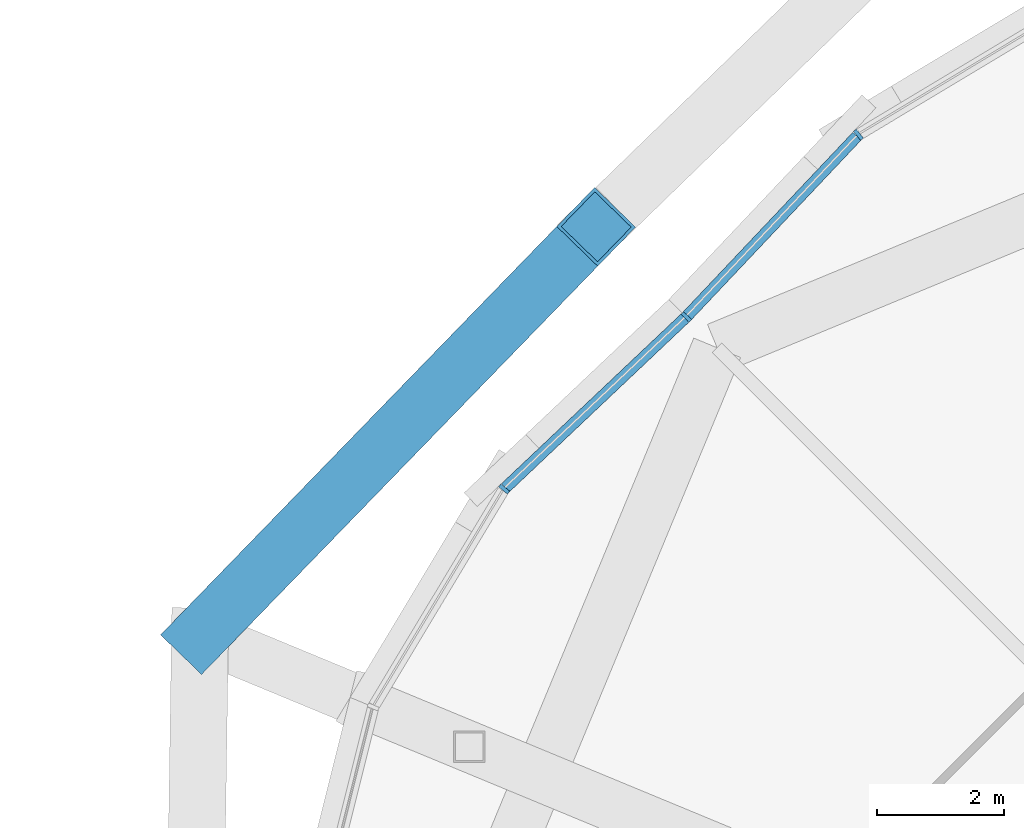
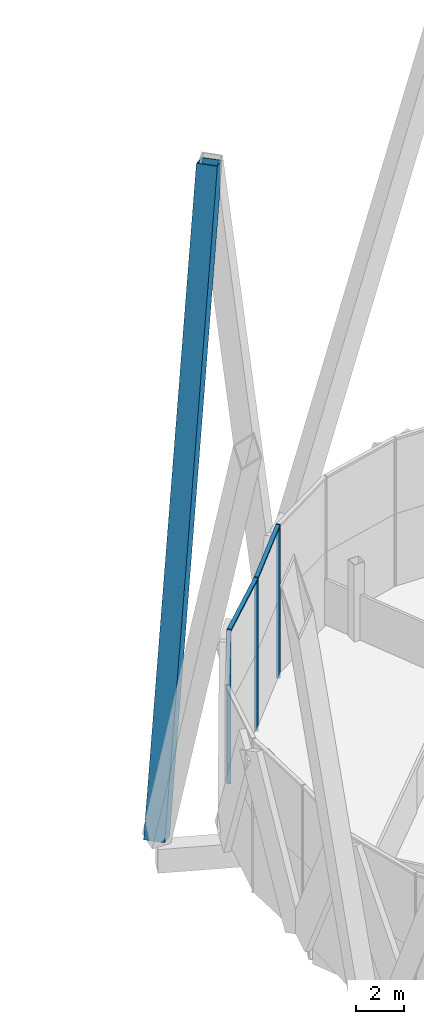
# One storey, part 33 of 53: 6 members, 2 elements without a shape of their own.
"""IFC4 building model written with IfcOpenShell, lengths in metres."""

from ifc_helpers import new_model, si_unit, direction, frame, origin, origin_2d, place, context, subcontext, project, spatial, rectangle, hollow_rectangle, extrude, material, material_profile, profile_set, type_object, element, aggregate, save


model = new_model("IFC4")

# Units and contexts
model_context = context("Model", 3, precision=1e-05, world=origin(), true_north=direction((0.0, 1.0)))
body_context = subcontext(model_context, "Body", "Model", "MODEL_VIEW")
ifc_project = project(units=[si_unit("LENGTHUNIT", "METRE"), si_unit("AREAUNIT", "SQUARE_METRE"), si_unit("VOLUMEUNIT", "CUBIC_METRE"), si_unit("PLANEANGLEUNIT", "RADIAN"), si_unit("MASSUNIT", "GRAM", prefix="KILO")], contexts=[model_context])

# Site, building, storey
site_placement = place(None, origin())
site = spatial("IfcSite", under=ifc_project, at=site_placement, CompositionType="ELEMENT")
building_placement = place(site_placement, origin())
building = spatial("IfcBuilding", under=site, at=building_placement, Name="Ogive Gate Towers", CompositionType="ELEMENT")
storey_placement = place(building_placement, frame((0.0, 0.0, 240.60009765625)))
storey = spatial("IfcBuildingStorey", under=building, at=storey_placement, Name="L57", CompositionType="ELEMENT", Elevation=240.60009765625)

# Member
ifc_material_1 = material(Name="Steel SM460", Category="steel")
ifc_material_profile_1 = material_profile(ifc_material_1, hollow_rectangle(XDim=0.89990234375, YDim=0.89990234375, WallThickness=0.050048828125, at=origin_2d()), Name="BX 900x900x50")
ifc_profile_set_1 = profile_set([ifc_material_profile_1], Name="Steel SM460")
member_type_1 = type_object("IfcMemberType", Name="Diagrid diagonal BX 900x900x50", PredefinedType="BRACE", material=ifc_profile_set_1)
member_1_placement = place(storey_placement, frame((14.32568359375, 8.977783203125, 0.0), z_axis=(0.211259451685, 0.217751746913, 0.952866003586), x_axis=(-0.717725362087, 0.696326291775, 0.0)))
element("IfcMember", 1, at=member_1_placement, inside=storey, type_object=member_type_1, Name="T2/L57/SDG007", PredefinedType="BRACE", context=body_context, shape_type="SweptSolid", body=[
    extrude(hollow_rectangle(XDim=0.89990234375, YDim=0.89990234375, WallThickness=0.050048828125, at=origin_2d()), origin(), (0.0, 0.0, 1.0), 29.594970703125),
])

# Curtain wall, members
ifc_material_2 = material(Name="Pale metal aluminium", Category="aluminium")
curtain_wall_type = type_object("IfcCurtainWallType", Name="Tower unitised wall, high zone", PredefinedType="NOTDEFINED", material=ifc_material_2)
curtain_wall_1_placement = place(storey_placement, origin())
curtain_wall_1 = element("IfcCurtainWall", 2, at=curtain_wall_1_placement, inside=storey, type_object=curtain_wall_type, Name="CW2 T2 ECW03", PredefinedType="NOTDEFINED")
ifc_material_profile_2 = material_profile(ifc_material_2, rectangle(XDim=0.179931640625, YDim=0.06005859375, at=origin_2d()), Name="60 x 180 aluminium box")
ifc_profile_set_2 = profile_set([ifc_material_profile_2], Name="Pale metal aluminium")
member_type_2 = type_object("IfcMemberType", Name="Tower unitised wall, high zone mullion 60 x 180", PredefinedType="MULLION", material=ifc_profile_set_2)
member_2_placement = place(storey_placement, frame((24.715087890625, 16.875, -0.300048828125), z_axis=(0.0, 0.0, 1.0), x_axis=(-0.626671819046, 0.779283280466, 0.0)))
member_2 = element("IfcMember", 3, at=member_2_placement, type_object=member_type_2, Name="CW2 mullion", PredefinedType="MULLION", context=body_context, shape_type="SweptSolid", body=[
    extrude(rectangle(XDim=0.179931640625, YDim=0.06005859375, at=origin_2d()), origin(), (0.0, 0.0, 1.0), 7.800048828125),
])
member_3_placement = place(storey_placement, frame((21.99951171875, 14.0009765625, -0.300048828125), z_axis=(0.0, 0.0, 1.0), x_axis=(-0.726850427027, 0.686795789687, 0.0)))
member_3 = element("IfcMember", 4, at=member_3_placement, type_object=member_type_2, Name="CW2 mullion", PredefinedType="MULLION", context=body_context, shape_type="SweptSolid", body=[
    extrude(rectangle(XDim=0.179931640625, YDim=0.06005859375, at=origin_2d()), origin(), (0.0, 0.0, 1.0), 7.800048828125),
])

# Curtain wall, member
curtain_wall_2_placement = place(storey_placement, origin())
curtain_wall_2 = element("IfcCurtainWall", 5, at=curtain_wall_2_placement, inside=storey, type_object=curtain_wall_type, Name="CW2 T2 ECW04", PredefinedType="NOTDEFINED")
member_4_placement = place(storey_placement, frame((19.125, 11.284912109375, -0.300048828125), z_axis=(0.0, 0.0, 1.0), x_axis=(-0.779283280466, 0.626671819046, 0.0)))
member_4 = element("IfcMember", 6, at=member_4_placement, type_object=member_type_2, Name="CW2 mullion", PredefinedType="MULLION", context=body_context, shape_type="SweptSolid", body=[
    extrude(rectangle(XDim=0.179931640625, YDim=0.06005859375, at=origin_2d()), origin(), (0.0, 0.0, 1.0), 7.800048828125),
])

# Member
ifc_material_profile_3 = material_profile(ifc_material_2, rectangle(XDim=0.179931640625, YDim=0.10009765625, at=origin_2d()), Name="100 x 180 aluminium box")
ifc_profile_set_3 = profile_set([ifc_material_profile_3], Name="Pale metal aluminium")
member_type_3 = type_object("IfcMemberType", Name="Tower unitised wall, high zone transom 100 x 180", PredefinedType="USERDEFINED", material=ifc_profile_set_3)
member_5_placement = place(storey_placement, frame((24.6953125, 16.85400390625, 7.449951171875), z_axis=(-0.686798350204, -0.726848007603, 0.0), x_axis=(0.726848007603, -0.686798350204, 0.0)))
member_5 = element("IfcMember", 7, at=member_5_placement, type_object=member_type_3, Name="CW2 transom", ObjectType="TRANSOM", PredefinedType="USERDEFINED", context=body_context, shape_type="SweptSolid", body=[
    extrude(rectangle(XDim=0.179931640625, YDim=0.10009765625, at=origin_2d()), origin(), (0.0, 0.0, 1.0), 3.895263671875),
])

aggregate(curtain_wall_1, [member_2, member_3, member_5])

member_6_placement = place(storey_placement, frame((21.977294921875, 13.97998046875, 7.449951171875), z_axis=(-0.726848007603, -0.686798350204, 0.0), x_axis=(0.686798350204, -0.726848007603, 0.0)))
member_6 = element("IfcMember", 8, at=member_6_placement, type_object=member_type_3, Name="CW2 transom", ObjectType="TRANSOM", PredefinedType="USERDEFINED", context=body_context, shape_type="SweptSolid", body=[
    extrude(rectangle(XDim=0.179931640625, YDim=0.10009765625, at=origin_2d()), origin(), (0.0, 0.0, 1.0), 3.895263671875),
])

aggregate(curtain_wall_2, [member_4, member_6])

save(model, "model.ifc")
